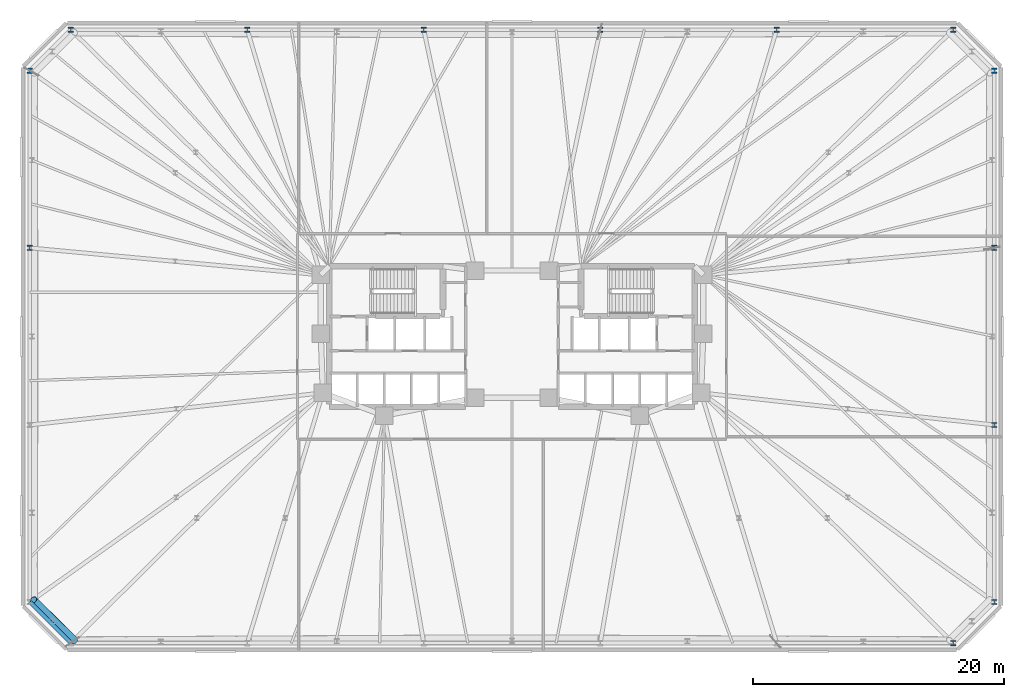
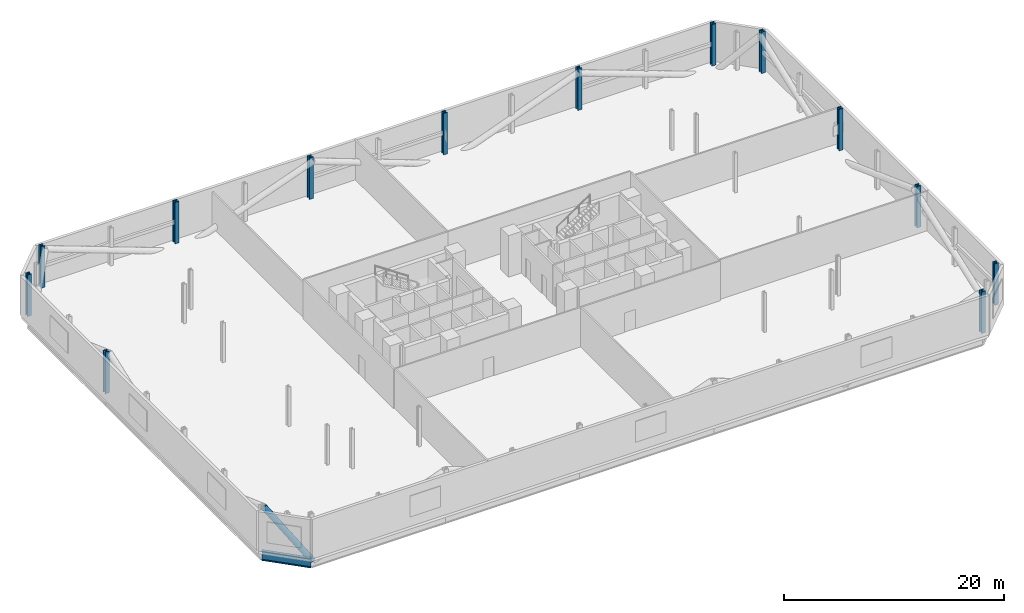
# One storey, part 5 of 17: 13 columns, 1 beam, 1 member.
"""IFC4 building model written with IfcOpenShell, lengths in metres."""

import ifcopenshell
import ifcopenshell.guid

model = None  # the IFC model being written
_history = None  # IfcOwnerHistory: only IFC2X3 demands one
_inside = {}  # id of a spatial element -> (the spatial element, [elements in it])
_under = {}  # id of a project, library or spatial element -> (it, [spatial elements below it])
_declared = {}  # id of a project -> (the project, [libraries it declares])
_typed = {}  # id of a type object -> (the type object, [elements of that type])
_made_of = {}  # id of a material, layer set ... -> (it, [elements and type objects made of it])


def new_model(schema):
    """Start an empty IFC model of exactly this schema.

    Asked for "IFC4X3", IfcOpenShell would pick the latest addendum, in which some entities
    have other attributes; the version numbers below select the first issue.
    IFC2X3 requires an IfcOwnerHistory on every rooted entity: one is made here for all.
    """
    global model, _history
    if schema == "IFC4X3":
        model = ifcopenshell.file(schema_version=(4, 3, 0, 0))
    else:
        model = ifcopenshell.file(schema=schema)
    _inside.clear()
    _under.clear()
    _declared.clear()
    _typed.clear()
    _made_of.clear()
    _history = None
    if model.schema == "IFC2X3":
        org = make("IfcOrganization", Name="unknown")
        user = make(
            "IfcPersonAndOrganization",
            ThePerson=make("IfcPerson", FamilyName="unknown"),
            TheOrganization=org,
        )
        app = make(
            "IfcApplication",
            ApplicationDeveloper=org,
            Version="unknown",
            ApplicationFullName="unknown",
            ApplicationIdentifier="unknown",
        )
        _history = make(
            "IfcOwnerHistory",
            OwningUser=user,
            OwningApplication=app,
            ChangeAction="ADDED",
            CreationDate=0,
        )
    return model


def make(cls, **values):
    """One entity of the class cls with the attributes given. An attribute that is None is left unset."""
    return model.create_entity(
        cls, **{name: value for name, value in values.items() if value is not None}
    )


def rooted(cls, **values):
    """An entity with a GlobalId (a new one), such as an element, a storey or a relation."""
    return make(cls, GlobalId=ifcopenshell.guid.new(), OwnerHistory=_history, **values)


def si_unit(unit_type, name, prefix=None):
    """IfcSIUnit, for example si_unit("LENGTHUNIT", "METRE", prefix="MILLI")."""
    return make("IfcSIUnit", UnitType=unit_type, Prefix=prefix, Name=name)


def assignment(units):
    """IfcUnitAssignment: the units of a project."""
    return None if units is None else make("IfcUnitAssignment", Units=units)


def point(xyz):
    """IfcCartesianPoint."""
    return None if xyz is None else make("IfcCartesianPoint", Coordinates=xyz)


def direction(xyz):
    """IfcDirection."""
    return None if xyz is None else make("IfcDirection", DirectionRatios=xyz)


def frame(location, z_axis=None, x_axis=None):
    """IfcAxis2Placement3D, a coordinate frame: its origin and axes. An axis left out is left unset."""
    return make(
        "IfcAxis2Placement3D",
        Location=point(location),
        Axis=direction(z_axis),
        RefDirection=direction(x_axis),
    )


def frame_2d(location, x_axis=None):
    """IfcAxis2Placement2D, a coordinate frame in the plane: its origin and x axis."""
    return make(
        "IfcAxis2Placement2D", Location=point(location), RefDirection=direction(x_axis)
    )


def origin():
    """The frame at (0, 0, 0) with its axes left unset."""
    return frame((0.0, 0.0, 0.0))


def origin_2d():
    """The frame at (0, 0) in the plane with its x axis left unset."""
    return frame_2d((0.0, 0.0))


def place(relative_to, where):
    """IfcLocalPlacement: puts the frame where relative to a parent placement (None: the world)."""
    return make(
        "IfcLocalPlacement", PlacementRelTo=relative_to, RelativePlacement=where
    )


def context(
    kind, dimensions, precision=None, world=None, true_north=None, identifier=None
):
    """IfcGeometricRepresentationContext, for example the 3D "Model" context."""
    return make(
        "IfcGeometricRepresentationContext",
        ContextIdentifier=identifier,
        ContextType=kind,
        CoordinateSpaceDimension=dimensions,
        Precision=precision,
        WorldCoordinateSystem=world,
        TrueNorth=true_north,
    )


def subcontext(parent, identifier, kind, view, scale=None):
    """IfcGeometricRepresentationSubContext, for example "Body" below "Model"."""
    return make(
        "IfcGeometricRepresentationSubContext",
        ContextIdentifier=identifier,
        ContextType=kind,
        ParentContext=parent,
        TargetScale=scale,
        TargetView=view,
    )


def project(units=None, contexts=None):
    """IfcProject with its units and contexts."""
    return rooted(
        "IfcProject",
        Name="project",
        RepresentationContexts=contexts,
        UnitsInContext=assignment(units),
    )


def spatial(cls, under=None, at=None, **own):
    """A site, building, storey or space (cls), placed at a placement, below another one or the project."""
    s = rooted(cls, ObjectPlacement=at, **own)
    if under is not None:
        _under.setdefault(under.id(), (under, []))[1].append(s)
    return s


def profile(cls, at=None, kind="AREA", **sizes):
    """A parametric profile (cls). Its sizes go by their IFC names, for example OverallWidth=200.0."""
    return make(cls, ProfileType=kind, Position=at, **sizes)


def hollow_circle(**sizes):
    """IfcCircleHollowProfileDef."""
    return profile("IfcCircleHollowProfileDef", **sizes)


def i_section(**sizes):
    """IfcIShapeProfileDef."""
    return profile("IfcIShapeProfileDef", **sizes)


def extrude(swept, where, along, depth):
    """IfcExtrudedAreaSolid: the profile swept, set in the frame where, extruded along a direction by depth."""
    return make(
        "IfcExtrudedAreaSolid",
        SweptArea=swept,
        Position=where,
        ExtrudedDirection=direction(along),
        Depth=depth,
    )


def shape(context_of_items, identifier, shape_type, items):
    """IfcShapeRepresentation: the items that make up one representation, for example the "Body"."""
    return make(
        "IfcShapeRepresentation",
        ContextOfItems=context_of_items,
        RepresentationIdentifier=identifier,
        RepresentationType=shape_type,
        Items=items,
    )


def material(Name=None, Category=None):
    """IfcMaterial."""
    return make("IfcMaterial", Name=Name, Category=Category)


def material_profile(
    of_material, cross_section, Name=None, Category=None, Priority=None
):
    """IfcMaterialProfile: a cross section and its material."""
    return make(
        "IfcMaterialProfile",
        Name=Name,
        Material=of_material,
        Profile=cross_section,
        Priority=Priority,
        Category=Category,
    )


def profile_set(profiles, Name=None, composite=None):
    """IfcMaterialProfileSet."""
    return make(
        "IfcMaterialProfileSet",
        Name=Name,
        MaterialProfiles=profiles,
        CompositeProfile=composite,
    )


def made_of(thing, what):
    """Note that an element or type object is made of a material, layer set ...; save() writes the relation."""
    if what is not None:
        _made_of.setdefault(what.id(), (what, []))[1].append(thing)
    return thing


def type_object(cls, material=None, **own):
    """A type object (cls), such as IfcWallType, which elements share."""
    return made_of(rooted(cls, **own), material)


def element(
    cls,
    number,
    at=None,
    inside=None,
    cuts=None,
    type_object=None,
    material=None,
    context=None,
    identifier="Body",
    shape_type=None,
    held_by="IfcProductDefinitionShape",
    body=None,
    shapes=None,
    **own,
):
    """One element of the class cls, such as IfcWall. Its Tag is "e" and its number.

    at: its placement. inside: the storey or other place that contains it. cuts: it is an
    opening in that element (IfcRelVoidsElement). A single representation is given by context,
    identifier, shape_type and body (its items); several are given by shapes. held_by: the class
    of the entity that holds the representations. save() writes the other relations.
    """
    e = rooted(cls, Tag="e%d" % number, ObjectPlacement=at, **own)
    if body is not None:
        shapes = [shape(context, identifier, shape_type, body)]
    if shapes is not None:
        e.Representation = make(held_by, Representations=shapes)
    if inside is not None:
        _inside.setdefault(inside.id(), (inside, []))[1].append(e)
    if cuts is not None:
        rooted(
            "IfcRelVoidsElement", RelatingBuildingElement=cuts, RelatedOpeningElement=e
        )
    if type_object is not None:
        _typed.setdefault(type_object.id(), (type_object, []))[1].append(e)
    return made_of(e, material)


def aggregate(whole, parts):
    """IfcRelAggregates: a whole, such as a stair, and the parts it consists of."""
    return rooted("IfcRelAggregates", RelatingObject=whole, RelatedObjects=parts)


def save(model, path):
    """Write the relations noted so far, then the file.

    IfcRelAggregates (storeys below a building ...), IfcRelContainedInSpatialStructure (elements
    in a storey), IfcRelDefinesByType, IfcRelAssociatesMaterial and IfcRelDeclares: one each for
    every whole, place, type object, material and project.
    """
    for whole, parts in _under.values():
        aggregate(whole, parts)
    for where, things in _inside.values():
        rooted(
            "IfcRelContainedInSpatialStructure",
            RelatedElements=things,
            RelatingStructure=where,
        )
    for kind, things in _typed.values():
        rooted("IfcRelDefinesByType", RelatedObjects=things, RelatingType=kind)
    for what, things in _made_of.values():
        rooted("IfcRelAssociatesMaterial", RelatedObjects=things, RelatingMaterial=what)
    for by, libraries in _declared.values():
        rooted("IfcRelDeclares", RelatingContext=by, RelatedDefinitions=libraries)
    model.write(path)


model = new_model("IFC4")

# Units and contexts
model_context = context("Model", 3, precision=1e-05, world=origin(), true_north=direction((0.0, 1.0)))
body_context = subcontext(model_context, "Body", "Model", "MODEL_VIEW")
ifc_project = project(units=[si_unit("LENGTHUNIT", "METRE"), si_unit("AREAUNIT", "SQUARE_METRE"), si_unit("VOLUMEUNIT", "CUBIC_METRE"), si_unit("PLANEANGLEUNIT", "RADIAN"), si_unit("MASSUNIT", "GRAM", prefix="KILO")], contexts=[model_context])

# Site, building, storey
site_placement = place(None, origin())
site = spatial("IfcSite", under=ifc_project, at=site_placement, CompositionType="ELEMENT")
building_placement = place(site_placement, origin())
building = spatial("IfcBuilding", under=site, at=building_placement, Name="Menara Jurai Vektor", CompositionType="ELEMENT")
storey_placement = place(building_placement, frame((0.0, 0.0, 9.60009765625)))
storey = spatial("IfcBuildingStorey", under=building, at=storey_placement, Name="L01", CompositionType="ELEMENT", Elevation=9.60009765625)

# Columns
ifc_material = material(Name="Steel S460", Category="steel")
ifc_material_profile_1 = material_profile(ifc_material, i_section(OverallWidth=0.419921875, OverallDepth=0.430908203125, WebThickness=0.06494140625, FlangeThickness=0.10595703125, FilletRadius=0.014892578125, at=origin_2d()), Name="HD 400x900")
ifc_profile_set_1 = profile_set([ifc_material_profile_1], Name="Steel S460")
column_type = type_object("IfcColumnType", Name="STR-EXO-BLK1", PredefinedType="COLUMN", material=ifc_profile_set_1)
for number, where, z_axis, x_axis, name in (
    (1, (35.177734375, -24.449951171875, 0.0), (0.0, 0.0, 1.0), (1.0, 0.0, 0.0), "Exoskeleton Column BLK1-S6 L01"),
    (2, (38.449951171875, -21.177734375, 0.0), (0.0, 0.0, 1.0), (1.0, 0.0, 0.0), "Exoskeleton Column BLK1-E1 L01"),
    (3, (38.449951171875, -7.059326171875, 0.0), (0.0, 0.0, 1.0), (1.0, 0.0, 0.0), "Exoskeleton Column BLK1-E2 L01"),
    (4, (38.449951171875, 7.059326171875, 0.0), (0.0, 0.0, 1.0), (1.0, 0.0, 0.0), "Exoskeleton Column BLK1-E3 L01"),
    (5, (38.449951171875, 21.177734375, 0.0), (0.0, 0.0, 1.0), (1.0, 0.0, 0.0), "Exoskeleton Column BLK1-E4 L01"),
    (6, (35.177734375, 24.449951171875, 0.0), (0.0, 0.0, 1.0), (1.0, 0.0, 0.0), "Exoskeleton Column BLK1-N1 L01"),
    (7, (21.106689453125, 24.449951171875, 0.0), (0.0, 0.0, 1.0), (1.0, 0.0, 0.0), "Exoskeleton Column BLK1-N2 L01"),
    (8, (7.03564453125, 24.449951171875, 0.0), (0.0, 0.0, 1.0), (1.0, 0.0, 0.0), "Exoskeleton Column BLK1-N3 L01"),
    (9, (-7.03564453125, 24.449951171875, 0.0), (0.0, 0.0, 1.0), (1.0, 0.0, 0.0), "Exoskeleton Column BLK1-N4 L01"),
    (10, (-21.106689453125, 24.449951171875, 0.0), (0.0, 0.0, 1.0), (1.0, 0.0, 0.0), "Exoskeleton Column BLK1-N5 L01"),
    (11, (-35.177734375, 24.449951171875, 0.0), (0.0, 0.0, 1.0), (1.0, 0.0, 0.0), "Exoskeleton Column BLK1-N6 L01"),
    (12, (-38.449951171875, 21.177734375, 0.0), (0.0, 0.0, 1.0), (1.0, 0.0, 0.0), "Exoskeleton Column BLK1-W1 L01"),
    (13, (-38.449951171875, 7.059326171875, 0.0), (0.0, 0.0, 1.0), (1.0, 0.0, 0.0), "Exoskeleton Column BLK1-W2 L01"),
):
    element("IfcColumn", number, at=place(storey_placement, frame(where, z_axis=z_axis, x_axis=x_axis)), inside=storey, type_object=column_type, Name=name, PredefinedType="COLUMN", context=body_context, shape_type="SweptSolid", body=[
        extrude(i_section(OverallWidth=0.419921875, OverallDepth=0.430908203125, WebThickness=0.06494140625, FlangeThickness=0.10595703125, FilletRadius=0.014892578125, at=origin_2d()), origin(), (0.0, 0.0, 1.0), 4.599853515625),
    ])

# Beam
ifc_material_profile_2 = material_profile(ifc_material, i_section(OverallWidth=0.30908203125, OverallDepth=1.035888671875, WebThickness=0.030029296875, FlangeThickness=0.053955078125, FilletRadius=0.030029296875, at=origin_2d()), Name="UKB 1016x305x487")
ifc_profile_set_2 = profile_set([ifc_material_profile_2], Name="Steel S460")
beam_type = type_object("IfcBeamType", Name="STR-BM-TR1016", PredefinedType="BEAM", material=ifc_profile_set_2)
beam_placement = place(storey_placement, frame((-38.449951171875, -21.177734375, -0.923095703125), z_axis=(0.707106781187, -0.707106781187, 0.0), x_axis=(0.707106781187, 0.707106781187, 0.0)))
element("IfcBeam", 14, at=beam_placement, inside=storey, type_object=beam_type, Name="Belt Truss Bottom Chord L01-20", PredefinedType="BEAM", context=body_context, shape_type="SweptSolid", body=[
    extrude(i_section(OverallWidth=0.30908203125, OverallDepth=1.035888671875, WebThickness=0.030029296875, FlangeThickness=0.053955078125, FilletRadius=0.030029296875, at=origin_2d()), origin(), (0.0, 0.0, 1.0), 4.627685546875),
])

# Member
ifc_material_profile_3 = material_profile(ifc_material, hollow_circle(Radius=0.304931640625, WallThickness=0.02490234375, at=origin_2d()), Name="CHS 610x25")
ifc_profile_set_3 = profile_set([ifc_material_profile_3], Name="Steel S460")
member_type = type_object("IfcMemberType", Name="STR-BR-610", PredefinedType="BRACE", material=ifc_profile_set_3)
member_placement = place(storey_placement, frame((-34.898681640625, -24.256103515625, -0.923095703125), z_axis=(-0.471980956409, 0.470351726033, 0.745656241579), x_axis=(-0.705883185694, -0.708328262993, 0.0)))
element("IfcMember", 15, at=member_placement, inside=storey, type_object=member_type, Name="Belt Truss Web Diagonal L01-20", PredefinedType="BRACE", context=body_context, shape_type="SweptSolid", body=[
    extrude(hollow_circle(Radius=0.304931640625, WallThickness=0.02490234375, at=origin_2d()), origin(), (0.0, 0.0, 1.0), 6.89306640625),
])

save(model, "model.ifc")
